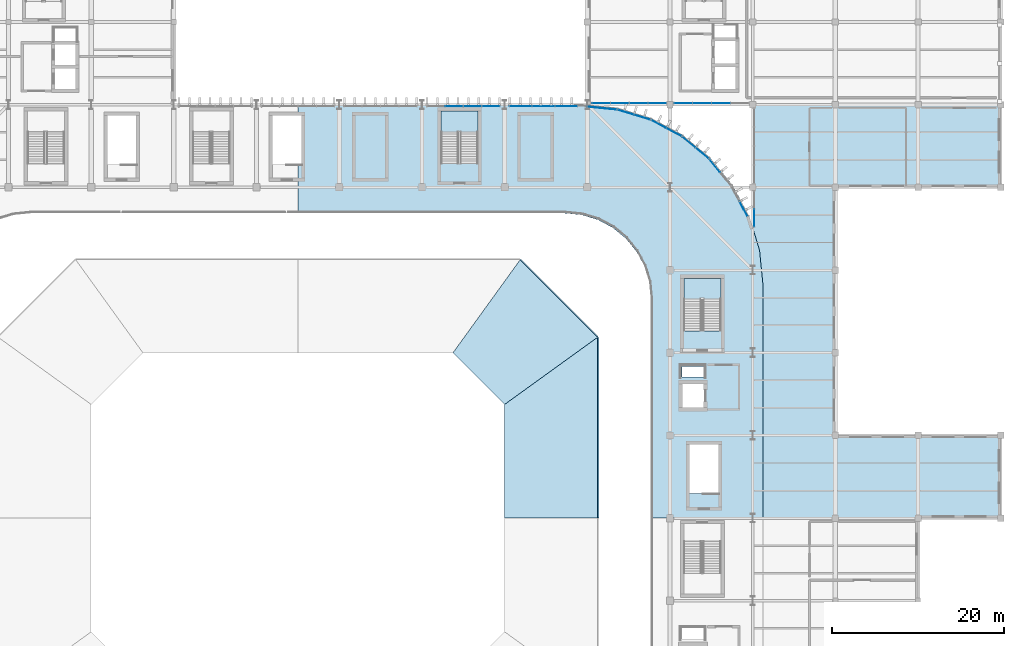
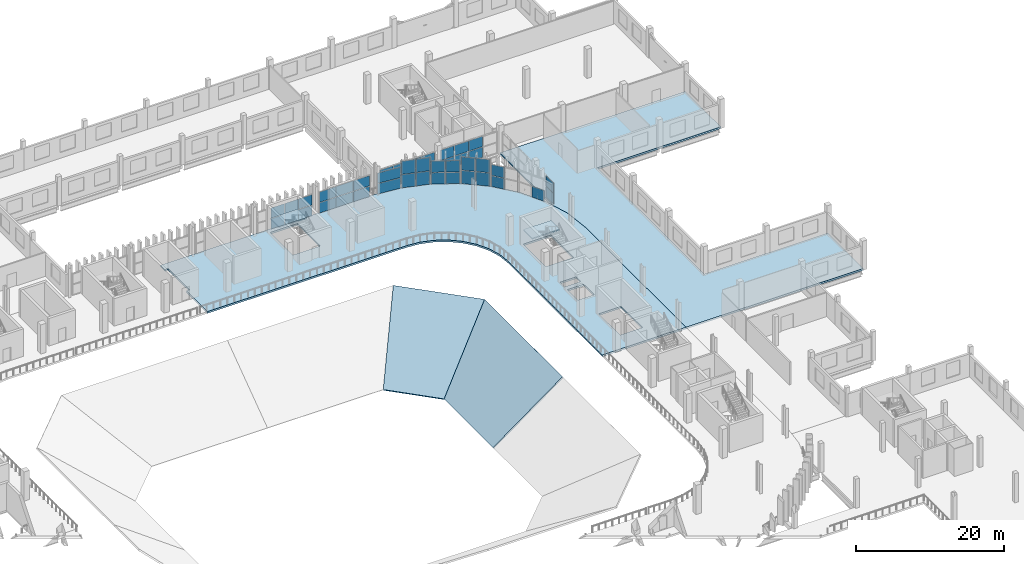
# One storey, part 55 of 99: 45 plates, 6 slabs, 13 elements without a shape of their own.
"""IFC4 building model written with IfcOpenShell, lengths in metres."""

import ifcopenshell
import ifcopenshell.guid

model = None  # the IFC model being written
_history = None  # IfcOwnerHistory: only IFC2X3 demands one
_inside = {}  # id of a spatial element -> (the spatial element, [elements in it])
_under = {}  # id of a project, library or spatial element -> (it, [spatial elements below it])
_declared = {}  # id of a project -> (the project, [libraries it declares])
_typed = {}  # id of a type object -> (the type object, [elements of that type])
_made_of = {}  # id of a material, layer set ... -> (it, [elements and type objects made of it])


def new_model(schema):
    """Start an empty IFC model of exactly this schema.

    Asked for "IFC4X3", IfcOpenShell would pick the latest addendum, in which some entities
    have other attributes; the version numbers below select the first issue.
    IFC2X3 requires an IfcOwnerHistory on every rooted entity: one is made here for all.
    """
    global model, _history
    if schema == "IFC4X3":
        model = ifcopenshell.file(schema_version=(4, 3, 0, 0))
    else:
        model = ifcopenshell.file(schema=schema)
    _inside.clear()
    _under.clear()
    _declared.clear()
    _typed.clear()
    _made_of.clear()
    _history = None
    if model.schema == "IFC2X3":
        org = make("IfcOrganization", Name="unknown")
        user = make(
            "IfcPersonAndOrganization",
            ThePerson=make("IfcPerson", FamilyName="unknown"),
            TheOrganization=org,
        )
        app = make(
            "IfcApplication",
            ApplicationDeveloper=org,
            Version="unknown",
            ApplicationFullName="unknown",
            ApplicationIdentifier="unknown",
        )
        _history = make(
            "IfcOwnerHistory",
            OwningUser=user,
            OwningApplication=app,
            ChangeAction="ADDED",
            CreationDate=0,
        )
    return model


def make(cls, **values):
    """One entity of the class cls with the attributes given. An attribute that is None is left unset."""
    return model.create_entity(
        cls, **{name: value for name, value in values.items() if value is not None}
    )


def rooted(cls, **values):
    """An entity with a GlobalId (a new one), such as an element, a storey or a relation."""
    return make(cls, GlobalId=ifcopenshell.guid.new(), OwnerHistory=_history, **values)


def si_unit(unit_type, name, prefix=None):
    """IfcSIUnit, for example si_unit("LENGTHUNIT", "METRE", prefix="MILLI")."""
    return make("IfcSIUnit", UnitType=unit_type, Prefix=prefix, Name=name)


def assignment(units):
    """IfcUnitAssignment: the units of a project."""
    return None if units is None else make("IfcUnitAssignment", Units=units)


def point(xyz):
    """IfcCartesianPoint."""
    return None if xyz is None else make("IfcCartesianPoint", Coordinates=xyz)


def direction(xyz):
    """IfcDirection."""
    return None if xyz is None else make("IfcDirection", DirectionRatios=xyz)


def frame(location, z_axis=None, x_axis=None):
    """IfcAxis2Placement3D, a coordinate frame: its origin and axes. An axis left out is left unset."""
    return make(
        "IfcAxis2Placement3D",
        Location=point(location),
        Axis=direction(z_axis),
        RefDirection=direction(x_axis),
    )


def frame_2d(location, x_axis=None):
    """IfcAxis2Placement2D, a coordinate frame in the plane: its origin and x axis."""
    return make(
        "IfcAxis2Placement2D", Location=point(location), RefDirection=direction(x_axis)
    )


def origin():
    """The frame at (0, 0, 0) with its axes left unset."""
    return frame((0.0, 0.0, 0.0))


def origin_2d():
    """The frame at (0, 0) in the plane with its x axis left unset."""
    return frame_2d((0.0, 0.0))


def place(relative_to, where):
    """IfcLocalPlacement: puts the frame where relative to a parent placement (None: the world)."""
    return make(
        "IfcLocalPlacement", PlacementRelTo=relative_to, RelativePlacement=where
    )


def context(
    kind, dimensions, precision=None, world=None, true_north=None, identifier=None
):
    """IfcGeometricRepresentationContext, for example the 3D "Model" context."""
    return make(
        "IfcGeometricRepresentationContext",
        ContextIdentifier=identifier,
        ContextType=kind,
        CoordinateSpaceDimension=dimensions,
        Precision=precision,
        WorldCoordinateSystem=world,
        TrueNorth=true_north,
    )


def subcontext(parent, identifier, kind, view, scale=None):
    """IfcGeometricRepresentationSubContext, for example "Body" below "Model"."""
    return make(
        "IfcGeometricRepresentationSubContext",
        ContextIdentifier=identifier,
        ContextType=kind,
        ParentContext=parent,
        TargetScale=scale,
        TargetView=view,
    )


def project(units=None, contexts=None):
    """IfcProject with its units and contexts."""
    return rooted(
        "IfcProject",
        Name="project",
        RepresentationContexts=contexts,
        UnitsInContext=assignment(units),
    )


def spatial(cls, under=None, at=None, **own):
    """A site, building, storey or space (cls), placed at a placement, below another one or the project."""
    s = rooted(cls, ObjectPlacement=at, **own)
    if under is not None:
        _under.setdefault(under.id(), (under, []))[1].append(s)
    return s


def polyline(points):
    """IfcPolyline through the points."""
    return make("IfcPolyline", Points=[point(p) for p in points])


def profile(cls, at=None, kind="AREA", **sizes):
    """A parametric profile (cls). Its sizes go by their IFC names, for example OverallWidth=200.0."""
    return make(cls, ProfileType=kind, Position=at, **sizes)


def rectangle(**sizes):
    """IfcRectangleProfileDef."""
    return profile("IfcRectangleProfileDef", **sizes)


def outline(outer, holes=None, kind="AREA"):
    """IfcArbitraryClosedProfileDef: a profile drawn as a closed curve; with holes, ...WithVoids."""
    if holes is None:
        return make("IfcArbitraryClosedProfileDef", ProfileType=kind, OuterCurve=outer)
    return make(
        "IfcArbitraryProfileDefWithVoids",
        ProfileType=kind,
        OuterCurve=outer,
        InnerCurves=holes,
    )


def extrude(swept, where, along, depth):
    """IfcExtrudedAreaSolid: the profile swept, set in the frame where, extruded along a direction by depth."""
    return make(
        "IfcExtrudedAreaSolid",
        SweptArea=swept,
        Position=where,
        ExtrudedDirection=direction(along),
        Depth=depth,
    )


def shape(context_of_items, identifier, shape_type, items):
    """IfcShapeRepresentation: the items that make up one representation, for example the "Body"."""
    return make(
        "IfcShapeRepresentation",
        ContextOfItems=context_of_items,
        RepresentationIdentifier=identifier,
        RepresentationType=shape_type,
        Items=items,
    )


def material(Name=None, Category=None):
    """IfcMaterial."""
    return make("IfcMaterial", Name=Name, Category=Category)


def layer(
    of_material, thickness, ventilated=None, Name=None, Category=None, Priority=None
):
    """IfcMaterialLayer: one layer of a wall or slab, of a material (None: an air gap)."""
    return make(
        "IfcMaterialLayer",
        Material=of_material,
        LayerThickness=thickness,
        IsVentilated=ventilated,
        Name=Name,
        Category=Category,
        Priority=Priority,
    )


def layer_set(layers, Name=None):
    """IfcMaterialLayerSet."""
    return make("IfcMaterialLayerSet", MaterialLayers=layers, LayerSetName=Name)


def made_of(thing, what):
    """Note that an element or type object is made of a material, layer set ...; save() writes the relation."""
    if what is not None:
        _made_of.setdefault(what.id(), (what, []))[1].append(thing)
    return thing


def type_object(cls, material=None, **own):
    """A type object (cls), such as IfcWallType, which elements share."""
    return made_of(rooted(cls, **own), material)


def element(
    cls,
    number,
    at=None,
    inside=None,
    cuts=None,
    type_object=None,
    material=None,
    context=None,
    identifier="Body",
    shape_type=None,
    held_by="IfcProductDefinitionShape",
    body=None,
    shapes=None,
    **own,
):
    """One element of the class cls, such as IfcWall. Its Tag is "e" and its number.

    at: its placement. inside: the storey or other place that contains it. cuts: it is an
    opening in that element (IfcRelVoidsElement). A single representation is given by context,
    identifier, shape_type and body (its items); several are given by shapes. held_by: the class
    of the entity that holds the representations. save() writes the other relations.
    """
    e = rooted(cls, Tag="e%d" % number, ObjectPlacement=at, **own)
    if body is not None:
        shapes = [shape(context, identifier, shape_type, body)]
    if shapes is not None:
        e.Representation = make(held_by, Representations=shapes)
    if inside is not None:
        _inside.setdefault(inside.id(), (inside, []))[1].append(e)
    if cuts is not None:
        rooted(
            "IfcRelVoidsElement", RelatingBuildingElement=cuts, RelatedOpeningElement=e
        )
    if type_object is not None:
        _typed.setdefault(type_object.id(), (type_object, []))[1].append(e)
    return made_of(e, material)


def aggregate(whole, parts):
    """IfcRelAggregates: a whole, such as a stair, and the parts it consists of."""
    return rooted("IfcRelAggregates", RelatingObject=whole, RelatedObjects=parts)


def save(model, path):
    """Write the relations noted so far, then the file.

    IfcRelAggregates (storeys below a building ...), IfcRelContainedInSpatialStructure (elements
    in a storey), IfcRelDefinesByType, IfcRelAssociatesMaterial and IfcRelDeclares: one each for
    every whole, place, type object, material and project.
    """
    for whole, parts in _under.values():
        aggregate(whole, parts)
    for where, things in _inside.values():
        rooted(
            "IfcRelContainedInSpatialStructure",
            RelatedElements=things,
            RelatingStructure=where,
        )
    for kind, things in _typed.values():
        rooted("IfcRelDefinesByType", RelatedObjects=things, RelatingType=kind)
    for what, things in _made_of.values():
        rooted("IfcRelAssociatesMaterial", RelatedObjects=things, RelatingMaterial=what)
    for by, libraries in _declared.values():
        rooted("IfcRelDeclares", RelatingContext=by, RelatedDefinitions=libraries)
    model.write(path)


model = new_model("IFC4")

# Units and contexts
model_context = context("Model", 3, precision=1e-05, world=origin(), true_north=direction((0.0, 1.0)))
body_context = subcontext(model_context, "Body", "Model", "MODEL_VIEW")
ifc_project = project(units=[si_unit("LENGTHUNIT", "METRE"), si_unit("AREAUNIT", "SQUARE_METRE"), si_unit("VOLUMEUNIT", "CUBIC_METRE"), si_unit("PLANEANGLEUNIT", "RADIAN"), si_unit("MASSUNIT", "GRAM", prefix="KILO")], contexts=[model_context])

# Site, building, storey
site_placement = place(None, origin())
site = spatial("IfcSite", under=ifc_project, at=site_placement, CompositionType="ELEMENT")
building_placement = place(site_placement, origin())
building = spatial("IfcBuilding", under=site, at=building_placement, Name="Caelomonte Colonnade Arena", CompositionType="ELEMENT")
storey_placement = place(building_placement, frame((0.0, 0.0, 4.800048828125)))
storey = spatial("IfcBuildingStorey", under=building, at=storey_placement, Name="L01", CompositionType="ELEMENT", Elevation=4.800048828125)

# Curtain wall, plates
ifc_material_1 = material(Name="Bronze anodised aluminium and low-E glazing", Category="aluminium")
ifc_layer_1 = layer(ifc_material_1, 0.179931640625)
ifc_layer_set_1 = layer_set([ifc_layer_1], Name="Bronze anodised aluminium and low-E glazing")
curtain_wall_type_1 = type_object("IfcCurtainWallType", Name="ENV-CW-CW-L01-92-36", PredefinedType="USERDEFINED", material=ifc_layer_set_1)
curtain_wall_1_placement = place(storey_placement, origin())
curtain_wall_1 = element("IfcCurtainWall", 1, at=curtain_wall_1_placement, inside=storey, type_object=curtain_wall_type_1, Name="L01 unitized curtain wall CW-L01-1486-1154", ObjectType="UNITIZED CURTAIN WALL", PredefinedType="USERDEFINED")
ifc_material_2 = material(Name="Solar-control bronze low-E double glazing", Category="glass")
ifc_layer_2 = layer(ifc_material_2, 0.028076171875)
ifc_layer_set_2 = layer_set([ifc_layer_2], Name="Solar-control bronze low-E double glazing")
plate_type = type_object("IfcPlateType", Name="ENV-CW-PAN28", PredefinedType="CURTAIN_PANEL", material=ifc_layer_set_2)
plate_1_placement = place(storey_placement, frame((145.6279296875, 115.3798828125, 0.070068359375), z_axis=(0.0, 0.0, 1.0), x_axis=(1.0, 0.0, 0.0)))
plate_1 = element("IfcPlate", 2, at=plate_1_placement, type_object=plate_type, Name="CW-L01-92-36 panel 1.1", PredefinedType="CURTAIN_PANEL", context=body_context, shape_type="SweptSolid", body=[
    extrude(rectangle(XDim=2.06494140625, YDim=0.028076171875, at=origin_2d()), origin(), (0.0, 0.0, 1.0), 1.69140625),
])
plate_2_placement = place(storey_placement, frame((145.6279296875, 115.3798828125, 1.83154296875), z_axis=(0.0, 0.0, 1.0), x_axis=(1.0, 0.0, 0.0)))
plate_2 = element("IfcPlate", 3, at=plate_2_placement, type_object=plate_type, Name="CW-L01-92-36 panel 1.2", PredefinedType="CURTAIN_PANEL", context=body_context, shape_type="SweptSolid", body=[
    extrude(rectangle(XDim=2.06494140625, YDim=0.028076171875, at=origin_2d()), origin(), (0.0, 0.0, 1.0), 1.69140625),
])
plate_3_placement = place(storey_placement, frame((147.7802734375, 115.3798828125, 0.070068359375), z_axis=(0.0, 0.0, 1.0), x_axis=(1.0, 0.0, 0.0)))
plate_3 = element("IfcPlate", 4, at=plate_3_placement, type_object=plate_type, Name="CW-L01-92-36 panel 2.1", PredefinedType="CURTAIN_PANEL", context=body_context, shape_type="SweptSolid", body=[
    extrude(rectangle(XDim=2.099853515625, YDim=0.028076171875, at=origin_2d()), origin(), (0.0, 0.0, 1.0), 1.69140625),
])
plate_4_placement = place(storey_placement, frame((147.7802734375, 115.3798828125, 1.83154296875), z_axis=(0.0, 0.0, 1.0), x_axis=(1.0, 0.0, 0.0)))
plate_4 = element("IfcPlate", 5, at=plate_4_placement, type_object=plate_type, Name="CW-L01-92-36 panel 2.2", PredefinedType="CURTAIN_PANEL", context=body_context, shape_type="SweptSolid", body=[
    extrude(rectangle(XDim=2.099853515625, YDim=0.028076171875, at=origin_2d()), origin(), (0.0, 0.0, 1.0), 1.69140625),
])
plate_5_placement = place(storey_placement, frame((149.9501953125, 115.3798828125, 0.070068359375), z_axis=(0.0, 0.0, 1.0), x_axis=(1.0, 0.0, 0.0)))
plate_5 = element("IfcPlate", 6, at=plate_5_placement, type_object=plate_type, Name="CW-L01-92-36 panel 3.1", PredefinedType="CURTAIN_PANEL", context=body_context, shape_type="SweptSolid", body=[
    extrude(rectangle(XDim=2.099853515625, YDim=0.028076171875, at=origin_2d()), origin(), (0.0, 0.0, 1.0), 1.69140625),
])
plate_6_placement = place(storey_placement, frame((149.9501953125, 115.3798828125, 1.83154296875), z_axis=(0.0, 0.0, 1.0), x_axis=(1.0, 0.0, 0.0)))
plate_6 = element("IfcPlate", 7, at=plate_6_placement, type_object=plate_type, Name="CW-L01-92-36 panel 3.2", PredefinedType="CURTAIN_PANEL", context=body_context, shape_type="SweptSolid", body=[
    extrude(rectangle(XDim=2.099853515625, YDim=0.028076171875, at=origin_2d()), origin(), (0.0, 0.0, 1.0), 1.69140625),
])
plate_7_placement = place(storey_placement, frame((152.1025390625, 115.3798828125, 0.070068359375), z_axis=(0.0, 0.0, 1.0), x_axis=(1.0, 0.0, 0.0)))
plate_7 = element("IfcPlate", 8, at=plate_7_placement, type_object=plate_type, Name="CW-L01-92-36 panel 4.1", PredefinedType="CURTAIN_PANEL", context=body_context, shape_type="SweptSolid", body=[
    extrude(rectangle(XDim=2.06494140625, YDim=0.028076171875, at=origin_2d()), origin(), (0.0, 0.0, 1.0), 1.69140625),
])
plate_8_placement = place(storey_placement, frame((152.1025390625, 115.3798828125, 1.83154296875), z_axis=(0.0, 0.0, 1.0), x_axis=(1.0, 0.0, 0.0)))
plate_8 = element("IfcPlate", 9, at=plate_8_placement, type_object=plate_type, Name="CW-L01-92-36 panel 4.2", PredefinedType="CURTAIN_PANEL", context=body_context, shape_type="SweptSolid", body=[
    extrude(rectangle(XDim=2.06494140625, YDim=0.028076171875, at=origin_2d()), origin(), (0.0, 0.0, 1.0), 1.69140625),
])
aggregate(curtain_wall_1, [plate_1, plate_2, plate_3, plate_4, plate_5, plate_6, plate_7, plate_8])

ifc_layer_3 = layer(ifc_material_1, 0.179931640625)
ifc_layer_set_3 = layer_set([ifc_layer_3], Name="Bronze anodised aluminium and low-E glazing")
curtain_wall_type_2 = type_object("IfcCurtainWallType", Name="ENV-CW-CW-L01-89-36", PredefinedType="USERDEFINED", material=ifc_layer_set_3)
curtain_wall_2_placement = place(storey_placement, origin())
curtain_wall_2 = element("IfcCurtainWall", 10, at=curtain_wall_2_placement, inside=storey, type_object=curtain_wall_type_2, Name="L01 unitized curtain wall CW-L01-1584-1154", ObjectType="UNITIZED CURTAIN WALL", PredefinedType="USERDEFINED")
plate_9_placement = place(storey_placement, frame((155.11376953125, 115.3798828125, 0.070068359375), z_axis=(0.0, 0.0, 1.0), x_axis=(1.0, 0.0, 0.0)))
plate_9 = element("IfcPlate", 11, at=plate_9_placement, type_object=plate_type, Name="CW-L01-89-36 panel 1.1", PredefinedType="CURTAIN_PANEL", context=body_context, shape_type="SweptSolid", body=[
    extrude(rectangle(XDim=2.097412109375, YDim=0.028076171875, at=origin_2d()), origin(), (0.0, 0.0, 1.0), 1.69140625),
])
plate_10_placement = place(storey_placement, frame((155.11376953125, 115.3798828125, 1.83154296875), z_axis=(0.0, 0.0, 1.0), x_axis=(1.0, 0.0, 0.0)))
plate_10 = element("IfcPlate", 12, at=plate_10_placement, type_object=plate_type, Name="CW-L01-89-36 panel 1.2", PredefinedType="CURTAIN_PANEL", context=body_context, shape_type="SweptSolid", body=[
    extrude(rectangle(XDim=2.097412109375, YDim=0.028076171875, at=origin_2d()), origin(), (0.0, 0.0, 1.0), 1.69140625),
])
plate_11_placement = place(storey_placement, frame((157.298828125, 115.3798828125, 0.070068359375), z_axis=(0.0, 0.0, 1.0), x_axis=(1.0, 0.0, 0.0)))
plate_11 = element("IfcPlate", 13, at=plate_11_placement, type_object=plate_type, Name="CW-L01-89-36 panel 2.1", PredefinedType="CURTAIN_PANEL", context=body_context, shape_type="SweptSolid", body=[
    extrude(rectangle(XDim=2.132568359375, YDim=0.028076171875, at=origin_2d()), origin(), (0.0, 0.0, 1.0), 1.69140625),
])
plate_12_placement = place(storey_placement, frame((157.298828125, 115.3798828125, 1.83154296875), z_axis=(0.0, 0.0, 1.0), x_axis=(1.0, 0.0, 0.0)))
plate_12 = element("IfcPlate", 14, at=plate_12_placement, type_object=plate_type, Name="CW-L01-89-36 panel 2.2", PredefinedType="CURTAIN_PANEL", context=body_context, shape_type="SweptSolid", body=[
    extrude(rectangle(XDim=2.132568359375, YDim=0.028076171875, at=origin_2d()), origin(), (0.0, 0.0, 1.0), 1.69140625),
])
plate_13_placement = place(storey_placement, frame((159.501220703125, 115.3798828125, 0.070068359375), z_axis=(0.0, 0.0, 1.0), x_axis=(1.0, 0.0, 0.0)))
plate_13 = element("IfcPlate", 15, at=plate_13_placement, type_object=plate_type, Name="CW-L01-89-36 panel 3.1", PredefinedType="CURTAIN_PANEL", context=body_context, shape_type="SweptSolid", body=[
    extrude(rectangle(XDim=2.132568359375, YDim=0.028076171875, at=origin_2d()), origin(), (0.0, 0.0, 1.0), 1.69140625),
])
plate_14_placement = place(storey_placement, frame((159.501220703125, 115.3798828125, 1.83154296875), z_axis=(0.0, 0.0, 1.0), x_axis=(1.0, 0.0, 0.0)))
plate_14 = element("IfcPlate", 16, at=plate_14_placement, type_object=plate_type, Name="CW-L01-89-36 panel 3.2", PredefinedType="CURTAIN_PANEL", context=body_context, shape_type="SweptSolid", body=[
    extrude(rectangle(XDim=2.132568359375, YDim=0.028076171875, at=origin_2d()), origin(), (0.0, 0.0, 1.0), 1.69140625),
])
aggregate(curtain_wall_2, [plate_9, plate_10, plate_11, plate_12, plate_13, plate_14])

ifc_layer_4 = layer(ifc_material_1, 0.179931640625)
ifc_layer_set_4 = layer_set([ifc_layer_4], Name="Bronze anodised aluminium and low-E glazing")
curtain_wall_type_3 = type_object("IfcCurtainWallType", Name="ENV-CW-CW-L01-44-36", PredefinedType="USERDEFINED", material=ifc_layer_set_4)
curtain_wall_3_placement = place(storey_placement, origin())
curtain_wall_3 = element("IfcCurtainWall", 17, at=curtain_wall_3_placement, inside=storey, type_object=curtain_wall_type_3, Name="L01 unitized curtain wall CW-L01-1634-1030", ObjectType="UNITIZED CURTAIN WALL", PredefinedType="USERDEFINED")
plate_15_placement = place(storey_placement, frame((163.3798828125, 102.042236328125, 0.070068359375), z_axis=(0.0, 0.0, 1.0), x_axis=(0.0, -1.0, 0.0)))
plate_15 = element("IfcPlate", 18, at=plate_15_placement, type_object=plate_type, Name="CW-L01-44-36 panel 2.1", PredefinedType="CURTAIN_PANEL", context=body_context, shape_type="SweptSolid", body=[
    extrude(rectangle(XDim=2.01513671875, YDim=0.028076171875, at=origin_2d()), origin(), (0.0, 0.0, 1.0), 1.69140625),
])
plate_16_placement = place(storey_placement, frame((163.3798828125, 102.042236328125, 1.83154296875), z_axis=(0.0, 0.0, 1.0), x_axis=(0.0, -1.0, 0.0)))
plate_16 = element("IfcPlate", 19, at=plate_16_placement, type_object=plate_type, Name="CW-L01-44-36 panel 2.2", PredefinedType="CURTAIN_PANEL", context=body_context, shape_type="SweptSolid", body=[
    extrude(rectangle(XDim=2.01513671875, YDim=0.028076171875, at=origin_2d()), origin(), (0.0, 0.0, 1.0), 1.69140625),
])
aggregate(curtain_wall_3, [plate_15, plate_16])

# Curtain wall, plate
ifc_layer_5 = layer(ifc_material_1, 0.179931640625)
ifc_layer_set_5 = layer_set([ifc_layer_5], Name="Bronze anodised aluminium and low-E glazing")
curtain_wall_type_4 = type_object("IfcCurtainWallType", Name="ENV-CW-CW-L01-44-38", PredefinedType="USERDEFINED", material=ifc_layer_set_5)
curtain_wall_4_placement = place(storey_placement, origin())
curtain_wall_4 = element("IfcCurtainWall", 20, at=curtain_wall_4_placement, inside=storey, type_object=curtain_wall_type_4, Name="L01 unitized curtain wall CW-L01-1617-1040", ObjectType="UNITIZED CURTAIN WALL", PredefinedType="USERDEFINED")
plate_17_placement = place(storey_placement, frame((162.139892578125, 103.09228515625, 0.070068359375), z_axis=(0.0, 0.0, 1.0), x_axis=(-0.471394212466, 0.881922613642, 0.0)))
plate_17 = element("IfcPlate", 21, at=plate_17_placement, type_object=plate_type, Name="CW-L01-44-38 panel 1.1", PredefinedType="CURTAIN_PANEL", context=body_context, shape_type="SweptSolid", body=[
    extrude(rectangle(XDim=1.913330078125, YDim=0.028076171875, at=origin_2d()), origin(), (0.0, 0.0, 1.0), 1.77392578125),
])
aggregate(curtain_wall_4, [plate_17])

# Curtain wall, plates
curtain_wall_5_placement = place(storey_placement, origin())
curtain_wall_5 = element("IfcCurtainWall", 22, at=curtain_wall_5_placement, inside=storey, type_object=curtain_wall_type_4, Name="L01 unitized curtain wall CW-L01-1594-1073", ObjectType="UNITIZED CURTAIN WALL", PredefinedType="USERDEFINED")
plate_18_placement = place(storey_placement, frame((158.786865234375, 108.1103515625, 0.070068359375), z_axis=(0.0, 0.0, 1.0), x_axis=(-0.634416071163, 0.772991751994, 0.0)))
plate_18 = element("IfcPlate", 23, at=plate_18_placement, type_object=plate_type, Name="CW-L01-44-38 panel 2.1", PredefinedType="CURTAIN_PANEL", context=body_context, shape_type="SweptSolid", body=[
    extrude(rectangle(XDim=1.913330078125, YDim=0.028076171875, at=origin_2d()), origin(), (0.0, 0.0, 1.0), 1.77392578125),
])
plate_19_placement = place(storey_placement, frame((158.786865234375, 108.1103515625, 1.9140625), z_axis=(0.0, 0.0, 1.0), x_axis=(-0.634416071163, 0.772991751994, 0.0)))
plate_19 = element("IfcPlate", 24, at=plate_19_placement, type_object=plate_type, Name="CW-L01-44-38 panel 2.2", PredefinedType="CURTAIN_PANEL", context=body_context, shape_type="SweptSolid", body=[
    extrude(rectangle(XDim=1.913330078125, YDim=0.028076171875, at=origin_2d()), origin(), (0.0, 0.0, 1.0), 1.77392578125),
])
aggregate(curtain_wall_5, [plate_18, plate_19])

ifc_layer_6 = layer(ifc_material_1, 0.179931640625)
ifc_layer_set_6 = layer_set([ifc_layer_6], Name="Bronze anodised aluminium and low-E glazing")
curtain_wall_type_5 = type_object("IfcCurtainWallType", Name="ENV-CW-CW-L01-44-45", PredefinedType="USERDEFINED", material=ifc_layer_set_6)
curtain_wall_6_placement = place(storey_placement, origin())
curtain_wall_6 = element("IfcCurtainWall", 25, at=curtain_wall_6_placement, inside=storey, type_object=curtain_wall_type_5, Name="L01 unitized curtain wall CW-L01-1565-1102", ObjectType="UNITIZED CURTAIN WALL", PredefinedType="USERDEFINED")
plate_20_placement = place(storey_placement, frame((157.310546875, 109.586669921875, 0.06982421875), z_axis=(0.0, 0.0, 1.0), x_axis=(-0.772991751994, 0.634416071163, 0.0)))
plate_20 = element("IfcPlate", 26, at=plate_20_placement, type_object=plate_type, Name="CW-L01-44-45 panel 1.1", PredefinedType="CURTAIN_PANEL", context=body_context, shape_type="SweptSolid", body=[
    extrude(rectangle(XDim=1.913330078125, YDim=0.028076171875, at=origin_2d()), origin(), (0.0, 0.0, 1.0), 2.155029296875),
])
plate_21_placement = place(storey_placement, frame((157.310546875, 109.586669921875, 2.294921875), z_axis=(0.0, 0.0, 1.0), x_axis=(-0.772991751994, 0.634416071163, 0.0)))
plate_21 = element("IfcPlate", 27, at=plate_21_placement, type_object=plate_type, Name="CW-L01-44-45 panel 1.2", PredefinedType="CURTAIN_PANEL", context=body_context, shape_type="SweptSolid", body=[
    extrude(rectangle(XDim=1.913330078125, YDim=0.028076171875, at=origin_2d()), origin(), (0.0, 0.0, 1.0), 2.155029296875),
])
plate_22_placement = place(storey_placement, frame((155.77734375, 110.844970703125, 0.06982421875), z_axis=(0.0, 0.0, 1.0), x_axis=(-0.772991751994, 0.634416071163, 0.0)))
plate_22 = element("IfcPlate", 28, at=plate_22_placement, type_object=plate_type, Name="CW-L01-44-45 panel 2.1", PredefinedType="CURTAIN_PANEL", context=body_context, shape_type="SweptSolid", body=[
    extrude(rectangle(XDim=1.913330078125, YDim=0.028076171875, at=origin_2d()), origin(), (0.0, 0.0, 1.0), 2.155029296875),
])
plate_23_placement = place(storey_placement, frame((155.77734375, 110.844970703125, 2.294921875), z_axis=(0.0, 0.0, 1.0), x_axis=(-0.772991751994, 0.634416071163, 0.0)))
plate_23 = element("IfcPlate", 29, at=plate_23_placement, type_object=plate_type, Name="CW-L01-44-45 panel 2.2", PredefinedType="CURTAIN_PANEL", context=body_context, shape_type="SweptSolid", body=[
    extrude(rectangle(XDim=1.913330078125, YDim=0.028076171875, at=origin_2d()), origin(), (0.0, 0.0, 1.0), 2.155029296875),
])
aggregate(curtain_wall_6, [plate_20, plate_21, plate_22, plate_23])

ifc_layer_7 = layer(ifc_material_1, 0.179931640625)
ifc_layer_set_7 = layer_set([ifc_layer_7], Name="Bronze anodised aluminium and low-E glazing")
curtain_wall_type_6 = type_object("IfcCurtainWallType", Name="ENV-CW-CW-L01-44-39", PredefinedType="USERDEFINED", material=ifc_layer_set_7)
curtain_wall_7_placement = place(storey_placement, origin())
curtain_wall_7 = element("IfcCurtainWall", 30, at=curtain_wall_7_placement, inside=storey, type_object=curtain_wall_type_6, Name="L01 unitized curtain wall CW-L01-1532-1125", ObjectType="UNITIZED CURTAIN WALL", PredefinedType="USERDEFINED")
plate_24_placement = place(storey_placement, frame((154.04150390625, 112.0048828125, 0.06982421875), z_axis=(0.0, 0.0, 1.0), x_axis=(-0.881922613642, 0.471394212466, 0.0)))
plate_24 = element("IfcPlate", 31, at=plate_24_placement, type_object=plate_type, Name="CW-L01-44-39 panel 1.1", PredefinedType="CURTAIN_PANEL", context=body_context, shape_type="SweptSolid", body=[
    extrude(rectangle(XDim=1.913330078125, YDim=0.028076171875, at=origin_2d()), origin(), (0.0, 0.0, 1.0), 1.8515625),
])
plate_25_placement = place(storey_placement, frame((154.04150390625, 112.0048828125, 1.991455078125), z_axis=(0.0, 0.0, 1.0), x_axis=(-0.881922613642, 0.471394212466, 0.0)))
plate_25 = element("IfcPlate", 32, at=plate_25_placement, type_object=plate_type, Name="CW-L01-44-39 panel 1.2", PredefinedType="CURTAIN_PANEL", context=body_context, shape_type="SweptSolid", body=[
    extrude(rectangle(XDim=1.913330078125, YDim=0.028076171875, at=origin_2d()), origin(), (0.0, 0.0, 1.0), 1.8515625),
])
plate_26_placement = place(storey_placement, frame((152.292236328125, 112.93994140625, 0.06982421875), z_axis=(0.0, 0.0, 1.0), x_axis=(-0.881922613642, 0.471394212466, 0.0)))
plate_26 = element("IfcPlate", 33, at=plate_26_placement, type_object=plate_type, Name="CW-L01-44-39 panel 2.1", PredefinedType="CURTAIN_PANEL", context=body_context, shape_type="SweptSolid", body=[
    extrude(rectangle(XDim=1.913330078125, YDim=0.028076171875, at=origin_2d()), origin(), (0.0, 0.0, 1.0), 1.8515625),
])
plate_27_placement = place(storey_placement, frame((152.292236328125, 112.93994140625, 1.991455078125), z_axis=(0.0, 0.0, 1.0), x_axis=(-0.881922613642, 0.471394212466, 0.0)))
plate_27 = element("IfcPlate", 34, at=plate_27_placement, type_object=plate_type, Name="CW-L01-44-39 panel 2.2", PredefinedType="CURTAIN_PANEL", context=body_context, shape_type="SweptSolid", body=[
    extrude(rectangle(XDim=1.913330078125, YDim=0.028076171875, at=origin_2d()), origin(), (0.0, 0.0, 1.0), 1.8515625),
])
aggregate(curtain_wall_7, [plate_24, plate_25, plate_26, plate_27])

curtain_wall_8_placement = place(storey_placement, origin())
curtain_wall_8 = element("IfcCurtainWall", 35, at=curtain_wall_8_placement, inside=storey, type_object=curtain_wall_type_5, Name="L01 unitized curtain wall CW-L01-1494-1140", ObjectType="UNITIZED CURTAIN WALL", PredefinedType="USERDEFINED")
plate_28_placement = place(storey_placement, frame((150.36328125, 113.739013671875, 0.06982421875), z_axis=(0.0, 0.0, 1.0), x_axis=(-0.956949160999, 0.290255582655, 0.0)))
plate_28 = element("IfcPlate", 36, at=plate_28_placement, type_object=plate_type, Name="CW-L01-44-45 panel 1.1", PredefinedType="CURTAIN_PANEL", context=body_context, shape_type="SweptSolid", body=[
    extrude(rectangle(XDim=1.913330078125, YDim=0.028076171875, at=origin_2d()), origin(), (0.0, 0.0, 1.0), 2.155029296875),
])
plate_29_placement = place(storey_placement, frame((150.36328125, 113.739013671875, 2.294921875), z_axis=(0.0, 0.0, 1.0), x_axis=(-0.956949160999, 0.290255582655, 0.0)))
plate_29 = element("IfcPlate", 37, at=plate_29_placement, type_object=plate_type, Name="CW-L01-44-45 panel 1.2", PredefinedType="CURTAIN_PANEL", context=body_context, shape_type="SweptSolid", body=[
    extrude(rectangle(XDim=1.913330078125, YDim=0.028076171875, at=origin_2d()), origin(), (0.0, 0.0, 1.0), 2.155029296875),
])
plate_30_placement = place(storey_placement, frame((148.46533203125, 114.314697265625, 0.06982421875), z_axis=(0.0, 0.0, 1.0), x_axis=(-0.956949160999, 0.290255582655, 0.0)))
plate_30 = element("IfcPlate", 38, at=plate_30_placement, type_object=plate_type, Name="CW-L01-44-45 panel 2.1", PredefinedType="CURTAIN_PANEL", context=body_context, shape_type="SweptSolid", body=[
    extrude(rectangle(XDim=1.913330078125, YDim=0.028076171875, at=origin_2d()), origin(), (0.0, 0.0, 1.0), 2.155029296875),
])
plate_31_placement = place(storey_placement, frame((148.46533203125, 114.314697265625, 2.294921875), z_axis=(0.0, 0.0, 1.0), x_axis=(-0.956949160999, 0.290255582655, 0.0)))
plate_31 = element("IfcPlate", 39, at=plate_31_placement, type_object=plate_type, Name="CW-L01-44-45 panel 2.2", PredefinedType="CURTAIN_PANEL", context=body_context, shape_type="SweptSolid", body=[
    extrude(rectangle(XDim=1.913330078125, YDim=0.028076171875, at=origin_2d()), origin(), (0.0, 0.0, 1.0), 2.155029296875),
])
aggregate(curtain_wall_8, [plate_28, plate_29, plate_30, plate_31])

ifc_layer_8 = layer(ifc_material_1, 0.179931640625)
ifc_layer_set_8 = layer_set([ifc_layer_8], Name="Bronze anodised aluminium and low-E glazing")
curtain_wall_type_7 = type_object("IfcCurtainWallType", Name="ENV-CW-CW-L01-42-36", PredefinedType="USERDEFINED", material=ifc_layer_set_8)
curtain_wall_9_placement = place(storey_placement, origin())
curtain_wall_9 = element("IfcCurtainWall", 40, at=curtain_wall_9_placement, inside=storey, type_object=curtain_wall_type_7, Name="L01 unitized curtain wall CW-L01-1455-1148", ObjectType="UNITIZED CURTAIN WALL", PredefinedType="USERDEFINED")
plate_32_placement = place(storey_placement, frame((145.67236328125, 114.79541015625, 0.070068359375), z_axis=(0.0, 0.0, 1.0), x_axis=(-0.995184134744, 0.098023150088, 0.0)))
plate_32 = element("IfcPlate", 41, at=plate_32_placement, type_object=plate_type, Name="CW-L01-42-36 panel 1.1", PredefinedType="CURTAIN_PANEL", context=body_context, shape_type="SweptSolid", body=[
    extrude(rectangle(XDim=3.4111328125, YDim=0.028076171875, at=origin_2d()), origin(), (0.0, 0.0, 1.0), 1.69140625),
])
plate_33_placement = place(storey_placement, frame((145.67236328125, 114.79541015625, 1.83154296875), z_axis=(0.0, 0.0, 1.0), x_axis=(-0.995184134744, 0.098023150088, 0.0)))
plate_33 = element("IfcPlate", 42, at=plate_33_placement, type_object=plate_type, Name="CW-L01-42-36 panel 1.2", PredefinedType="CURTAIN_PANEL", context=body_context, shape_type="SweptSolid", body=[
    extrude(rectangle(XDim=3.4111328125, YDim=0.028076171875, at=origin_2d()), origin(), (0.0, 0.0, 1.0), 1.69140625),
])
aggregate(curtain_wall_9, [plate_32, plate_33])

ifc_layer_9 = layer(ifc_material_1, 0.179931640625)
ifc_layer_set_9 = layer_set([ifc_layer_9], Name="Bronze anodised aluminium and low-E glazing")
curtain_wall_type_8 = type_object("IfcCurtainWallType", Name="ENV-CW-CW-L01-90-36", PredefinedType="USERDEFINED", material=ifc_layer_set_9)
curtain_wall_10_placement = place(storey_placement, origin())
curtain_wall_10 = element("IfcCurtainWall", 43, at=curtain_wall_10_placement, inside=storey, type_object=curtain_wall_type_8, Name="L01 unitized curtain wall CW-L01-1389-1150", ObjectType="UNITIZED CURTAIN WALL", PredefinedType="USERDEFINED")
plate_34_placement = place(storey_placement, frame((141.5322265625, 115.02001953125, 0.070068359375), z_axis=(0.0, 0.0, 1.0), x_axis=(-1.0, 0.0, 0.0)))
plate_34 = element("IfcPlate", 44, at=plate_34_placement, type_object=plate_type, Name="CW-L01-90-36 panel 1.1", PredefinedType="CURTAIN_PANEL", context=body_context, shape_type="SweptSolid", body=[
    extrude(rectangle(XDim=2.544677734375, YDim=0.028076171875, at=origin_2d()), origin(), (0.0, 0.0, 1.0), 1.69140625),
])
plate_35_placement = place(storey_placement, frame((141.5322265625, 115.02001953125, 1.83154296875), z_axis=(0.0, 0.0, 1.0), x_axis=(-1.0, 0.0, 0.0)))
plate_35 = element("IfcPlate", 45, at=plate_35_placement, type_object=plate_type, Name="CW-L01-90-36 panel 1.2", PredefinedType="CURTAIN_PANEL", context=body_context, shape_type="SweptSolid", body=[
    extrude(rectangle(XDim=2.544677734375, YDim=0.028076171875, at=origin_2d()), origin(), (0.0, 0.0, 1.0), 1.69140625),
])
plate_36_placement = place(storey_placement, frame((138.89990234375, 115.02001953125, 0.070068359375), z_axis=(0.0, 0.0, 1.0), x_axis=(-1.0, 0.0, 0.0)))
plate_36 = element("IfcPlate", 46, at=plate_36_placement, type_object=plate_type, Name="CW-L01-90-36 panel 2.1", PredefinedType="CURTAIN_PANEL", context=body_context, shape_type="SweptSolid", body=[
    extrude(rectangle(XDim=2.57958984375, YDim=0.028076171875, at=origin_2d()), origin(), (0.0, 0.0, 1.0), 1.69140625),
])
plate_37_placement = place(storey_placement, frame((138.89990234375, 115.02001953125, 1.83154296875), z_axis=(0.0, 0.0, 1.0), x_axis=(-1.0, 0.0, 0.0)))
plate_37 = element("IfcPlate", 47, at=plate_37_placement, type_object=plate_type, Name="CW-L01-90-36 panel 2.2", PredefinedType="CURTAIN_PANEL", context=body_context, shape_type="SweptSolid", body=[
    extrude(rectangle(XDim=2.57958984375, YDim=0.028076171875, at=origin_2d()), origin(), (0.0, 0.0, 1.0), 1.69140625),
])
plate_38_placement = place(storey_placement, frame((136.267822265625, 115.02001953125, 0.070068359375), z_axis=(0.0, 0.0, 1.0), x_axis=(-1.0, 0.0, 0.0)))
plate_38 = element("IfcPlate", 48, at=plate_38_placement, type_object=plate_type, Name="CW-L01-90-36 panel 3.1", PredefinedType="CURTAIN_PANEL", context=body_context, shape_type="SweptSolid", body=[
    extrude(rectangle(XDim=2.544677734375, YDim=0.028076171875, at=origin_2d()), origin(), (0.0, 0.0, 1.0), 1.69140625),
])
plate_39_placement = place(storey_placement, frame((136.267822265625, 115.02001953125, 1.83154296875), z_axis=(0.0, 0.0, 1.0), x_axis=(-1.0, 0.0, 0.0)))
plate_39 = element("IfcPlate", 49, at=plate_39_placement, type_object=plate_type, Name="CW-L01-90-36 panel 3.2", PredefinedType="CURTAIN_PANEL", context=body_context, shape_type="SweptSolid", body=[
    extrude(rectangle(XDim=2.544677734375, YDim=0.028076171875, at=origin_2d()), origin(), (0.0, 0.0, 1.0), 1.69140625),
])
aggregate(curtain_wall_10, [plate_34, plate_35, plate_36, plate_37, plate_38, plate_39])

ifc_layer_10 = layer(ifc_material_1, 0.179931640625)
ifc_layer_set_10 = layer_set([ifc_layer_10], Name="Bronze anodised aluminium and low-E glazing")
curtain_wall_type_9 = type_object("IfcCurtainWallType", Name="ENV-CW-CW-L01-96-36", PredefinedType="USERDEFINED", material=ifc_layer_set_10)
curtain_wall_11_placement = place(storey_placement, origin())
curtain_wall_11 = element("IfcCurtainWall", 50, at=curtain_wall_11_placement, inside=storey, type_object=curtain_wall_type_9, Name="L01 unitized curtain wall CW-L01-1296-1150", ObjectType="UNITIZED CURTAIN WALL", PredefinedType="USERDEFINED")
plate_40_placement = place(storey_placement, frame((132.788330078125, 115.02001953125, 0.070068359375), z_axis=(0.0, 0.0, 1.0), x_axis=(-1.0, 0.0, 0.0)))
plate_40 = element("IfcPlate", 51, at=plate_40_placement, type_object=plate_type, Name="CW-L01-96-36 panel 1.1", PredefinedType="CURTAIN_PANEL", context=body_context, shape_type="SweptSolid", body=[
    extrude(rectangle(XDim=2.0322265625, YDim=0.028076171875, at=origin_2d()), origin(), (0.0, 0.0, 1.0), 1.69140625),
])
plate_41_placement = place(storey_placement, frame((132.788330078125, 115.02001953125, 1.83154296875), z_axis=(0.0, 0.0, 1.0), x_axis=(-1.0, 0.0, 0.0)))
plate_41 = element("IfcPlate", 52, at=plate_41_placement, type_object=plate_type, Name="CW-L01-96-36 panel 1.2", PredefinedType="CURTAIN_PANEL", context=body_context, shape_type="SweptSolid", body=[
    extrude(rectangle(XDim=2.0322265625, YDim=0.028076171875, at=origin_2d()), origin(), (0.0, 0.0, 1.0), 1.69140625),
])
plate_42_placement = place(storey_placement, frame((130.668701171875, 115.02001953125, 0.070068359375), z_axis=(0.0, 0.0, 1.0), x_axis=(-1.0, 0.0, 0.0)))
plate_42 = element("IfcPlate", 53, at=plate_42_placement, type_object=plate_type, Name="CW-L01-96-36 panel 2.1", PredefinedType="CURTAIN_PANEL", context=body_context, shape_type="SweptSolid", body=[
    extrude(rectangle(XDim=2.067138671875, YDim=0.028076171875, at=origin_2d()), origin(), (0.0, 0.0, 1.0), 1.69140625),
])
plate_43_placement = place(storey_placement, frame((130.668701171875, 115.02001953125, 1.83154296875), z_axis=(0.0, 0.0, 1.0), x_axis=(-1.0, 0.0, 0.0)))
plate_43 = element("IfcPlate", 54, at=plate_43_placement, type_object=plate_type, Name="CW-L01-96-36 panel 2.2", PredefinedType="CURTAIN_PANEL", context=body_context, shape_type="SweptSolid", body=[
    extrude(rectangle(XDim=2.067138671875, YDim=0.028076171875, at=origin_2d()), origin(), (0.0, 0.0, 1.0), 1.69140625),
])
plate_44_placement = place(storey_placement, frame((128.531494140625, 115.02001953125, 0.070068359375), z_axis=(0.0, 0.0, 1.0), x_axis=(-1.0, 0.0, 0.0)))
plate_44 = element("IfcPlate", 55, at=plate_44_placement, type_object=plate_type, Name="CW-L01-96-36 panel 3.1", PredefinedType="CURTAIN_PANEL", context=body_context, shape_type="SweptSolid", body=[
    extrude(rectangle(XDim=2.067138671875, YDim=0.028076171875, at=origin_2d()), origin(), (0.0, 0.0, 1.0), 1.69140625),
])
plate_45_placement = place(storey_placement, frame((128.531494140625, 115.02001953125, 1.83154296875), z_axis=(0.0, 0.0, 1.0), x_axis=(-1.0, 0.0, 0.0)))
plate_45 = element("IfcPlate", 56, at=plate_45_placement, type_object=plate_type, Name="CW-L01-96-36 panel 3.2", PredefinedType="CURTAIN_PANEL", context=body_context, shape_type="SweptSolid", body=[
    extrude(rectangle(XDim=2.067138671875, YDim=0.028076171875, at=origin_2d()), origin(), (0.0, 0.0, 1.0), 1.69140625),
])
aggregate(curtain_wall_11, [plate_40, plate_41, plate_42, plate_43, plate_44, plate_45])

# Stair, slab
ifc_material_3 = material(Name="Concrete C40/50", Category="concrete")
stair_type_1 = type_object("IfcStairType", Name="INT-ST-WING48", PredefinedType="HALF_TURN_STAIR", material=ifc_material_3)
stair_1_placement = place(storey_placement, origin())
stair_1 = element("IfcStair", 57, at=stair_1_placement, inside=storey, type_object=stair_type_1, Name="L01 Core C3 exit stair ST-03", PredefinedType="HALF_TURN_STAIR")
ifc_layer_11 = layer(ifc_material_3, 0.199951171875)
ifc_layer_set_11 = layer_set([ifc_layer_11], Name="Concrete C40/50")
slab_type_1 = type_object("IfcSlabType", Name="INT-SL-LAND20", PredefinedType="LANDING", material=ifc_layer_set_11)
slab_1_placement = place(storey_placement, frame((0.0, 0.0, 2.199951171875)))
slab_1 = element("IfcSlab", 58, at=slab_1_placement, type_object=slab_type_1, Name="ST-03 landing 1", PredefinedType="LANDING", context=body_context, shape_type="SweptSolid", body=[
    extrude(outline(polyline([(159.5, 92.655029296875), (159.5, 95.050048828125), (155.199951171875, 95.050048828125), (155.199951171875, 92.655029296875), (159.5, 92.655029296875)])), origin(), (0.0, 0.0, 1.0), 0.199951171875),
])
aggregate(stair_1, [slab_1])

stair_type_2 = type_object("IfcStairType", Name="INT-ST-CORE48", PredefinedType="HALF_TURN_STAIR", material=ifc_material_3)
stair_2_placement = place(storey_placement, origin())
stair_2 = element("IfcStair", 59, at=stair_2_placement, inside=storey, type_object=stair_type_2, Name="L01 Protected exit stair ST-16", PredefinedType="HALF_TURN_STAIR")
slab_2_placement = place(storey_placement, frame((0.0, 0.0, 2.199951171875)))
slab_2 = element("IfcSlab", 60, at=slab_2_placement, type_object=slab_type_1, Name="ST-16 landing 1", PredefinedType="LANDING", context=body_context, shape_type="SweptSolid", body=[
    extrude(outline(polyline([(131.300048828125, 112.054931640625), (131.300048828125, 114.449951171875), (127.0, 114.449951171875), (127.0, 112.054931640625), (131.300048828125, 112.054931640625)])), origin(), (0.0, 0.0, 1.0), 0.199951171875),
])
aggregate(stair_2, [slab_2])

# Slabs
ifc_layer_12 = layer(ifc_material_3, 0.300048828125)
ifc_layer_set_12 = layer_set([ifc_layer_12], Name="Concrete C40/50")
slab_type_2 = type_object("IfcSlabType", Name="STR-SL-FLR30", PredefinedType="FLOOR", material=ifc_layer_set_12)
slab_3_placement = place(storey_placement, frame((0.0, 0.0, -0.300048828125)))
element("IfcSlab", 61, at=slab_3_placement, inside=storey, type_object=slab_type_2, Name="L01 structural floor slab SL-L01-V1-NE", PredefinedType="FLOOR", context=body_context, shape_type="SweptSolid", body=[
    extrude(outline(polyline([(143.39990234375, 115.199951171875), (110.39990234375, 115.199951171875), (110.39990234375, 114.0), (110.89990234375, 114.0), (110.89990234375, 108.25), (110.39990234375, 108.25), (110.39990234375, 102.60009765625), (141.39990234375, 102.60009765625), (143.350830078125, 102.407958984375), (145.226806640625, 101.8388671875), (146.955810546875, 100.914794921875), (148.47119140625, 99.671142578125), (149.714599609375, 98.15576171875), (150.638916015625, 96.4267578125), (151.2080078125, 94.55078125), (151.39990234375, 92.60009765625), (151.39990234375, 67.199951171875), (164.39990234375, 67.199951171875), (164.39990234375, 94.199951171875), (163.99658203125, 98.296875), (162.801513671875, 102.236328125), (160.86083984375, 105.866943359375), (158.249267578125, 109.04931640625), (155.06689453125, 111.660888671875), (151.436279296875, 113.6015625), (147.496826171875, 114.79638671875), (143.39990234375, 115.199951171875)]), holes=[polyline([(154.97998046875, 79.97998046875), (154.97998046875, 82.820068359375), (157.52001953125, 82.820068359375), (157.52001953125, 79.97998046875), (154.97998046875, 79.97998046875)]), polyline([(127.0, 114.449951171875), (131.300048828125, 114.449951171875), (131.300048828125, 108.35009765625), (127.0, 108.35009765625), (127.0, 114.449951171875)]), polyline([(155.800048828125, 75.800048828125), (159.300048828125, 75.800048828125), (159.300048828125, 70.050048828125), (155.800048828125, 70.050048828125), (155.800048828125, 75.800048828125)]), polyline([(154.97998046875, 83.580078125), (154.97998046875, 84.820068359375), (157.52001953125, 84.820068359375), (157.52001953125, 83.580078125), (154.97998046875, 83.580078125)]), polyline([(155.199951171875, 95.050048828125), (159.5, 95.050048828125), (159.5, 88.949951171875), (155.199951171875, 88.949951171875), (155.199951171875, 95.050048828125)])]), origin(), (0.0, 0.0, 1.0), 0.300048828125),
])
slab_4_placement = place(storey_placement, frame((0.0, 0.0, -0.300048828125)))
element("IfcSlab", 62, at=slab_4_placement, inside=storey, type_object=slab_type_2, Name="L01 structural floor slab SL-L01-V4-E", PredefinedType="FLOOR", context=body_context, shape_type="SweptSolid", body=[
    extrude(outline(polyline([(164.39990234375, 67.199951171875), (192.0, 67.199951171875), (192.0, 76.800048828125), (172.800048828125, 76.800048828125), (172.800048828125, 105.60009765625), (192.0, 105.60009765625), (192.0, 115.199951171875), (163.199951171875, 115.199951171875), (163.199951171875, 100.922607421875), (163.99658203125, 98.296875), (164.39990234375, 94.199951171875), (164.39990234375, 67.199951171875)])), origin(), (0.0, 0.0, 1.0), 0.300048828125),
])
ifc_material_4 = material(Name="Precast concrete C40/50", Category="concrete")
ifc_layer_13 = layer(ifc_material_4, 0.239990234375)
ifc_layer_set_13 = layer_set([ifc_layer_13], Name="Precast concrete C40/50")
slab_type_3 = type_object("IfcSlabType", Name="STR-SL-TIER24", PredefinedType="USERDEFINED", material=ifc_layer_set_13)
slab_5_placement = place(storey_placement, frame((134.39990234375, 67.199951171875, -9.300048828125), z_axis=(-0.588442269699, 0.0, 0.808539235431), x_axis=(0.0, 1.0, 0.0)))
element("IfcSlab", 63, at=slab_5_placement, inside=storey, type_object=slab_type_3, Name="Stand LOWER bowl seating tier sector E2", ObjectType="SEATING TIER", PredefinedType="USERDEFINED", context=body_context, shape_type="SweptSolid", body=[
    extrude(outline(polyline([(0.0, 0.0), (13.199951171875, 0.0), (21.0, -13.357482673516692), (0.0, -13.357482673516692), (0.0, 0.0)])), origin(), (0.0, 0.0, -1.0), 0.239990234375),
])
slab_6_placement = place(storey_placement, frame((134.39990234375, 80.39990234375, -9.300048828125), z_axis=(-0.362742599631, -0.362742599631, 0.85839129354), x_axis=(-0.707106781187, 0.707106781187, 0.0)))
element("IfcSlab", 64, at=slab_6_placement, inside=storey, type_object=slab_type_3, Name="Stand LOWER bowl seating tier sector NE", ObjectType="SEATING TIER", PredefinedType="USERDEFINED", context=body_context, shape_type="SweptSolid", body=[
    extrude(outline(polyline([(0.0, 0.0), (8.485281374238571, 0.0), (10.606601717798213, -15.321981108669757), (-2.121320343559643, -15.321981108669757), (0.0, 0.0)])), origin(), (0.0, 0.0, -1.0), 0.239990234375),
])

save(model, "model.ifc")
